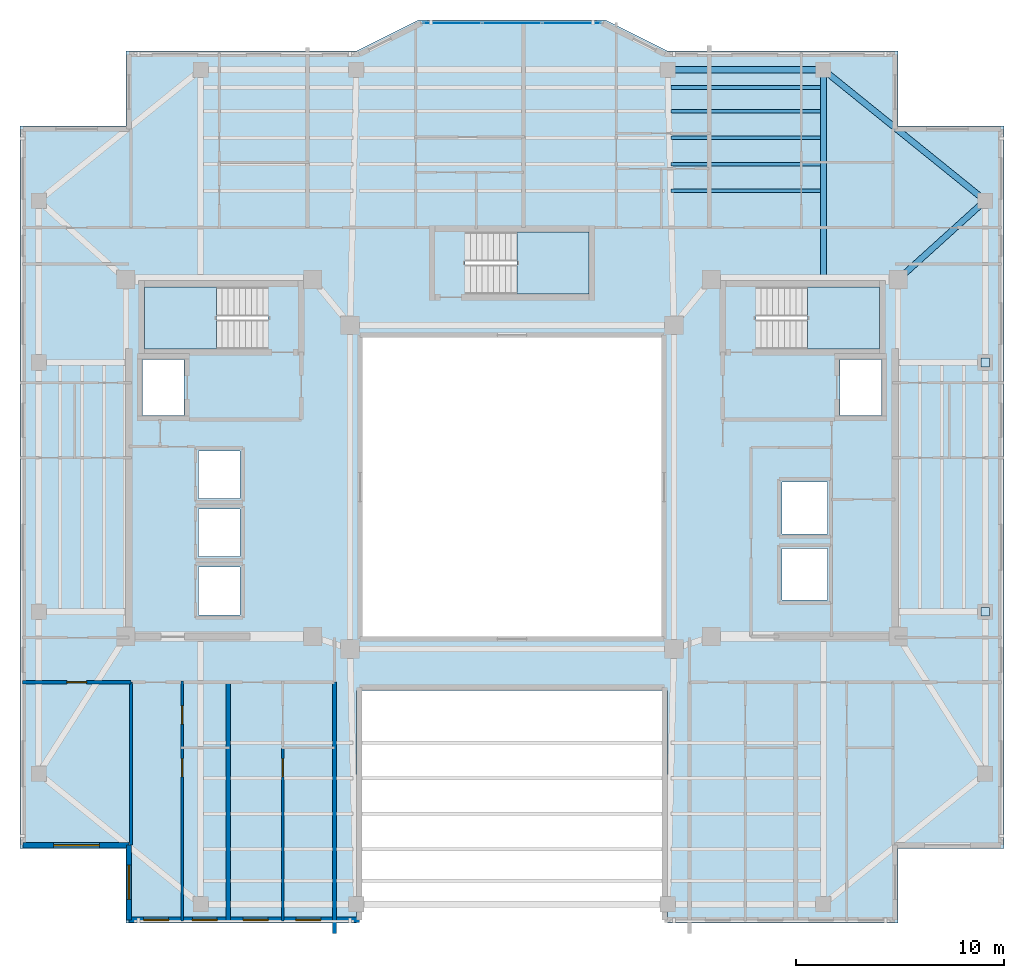
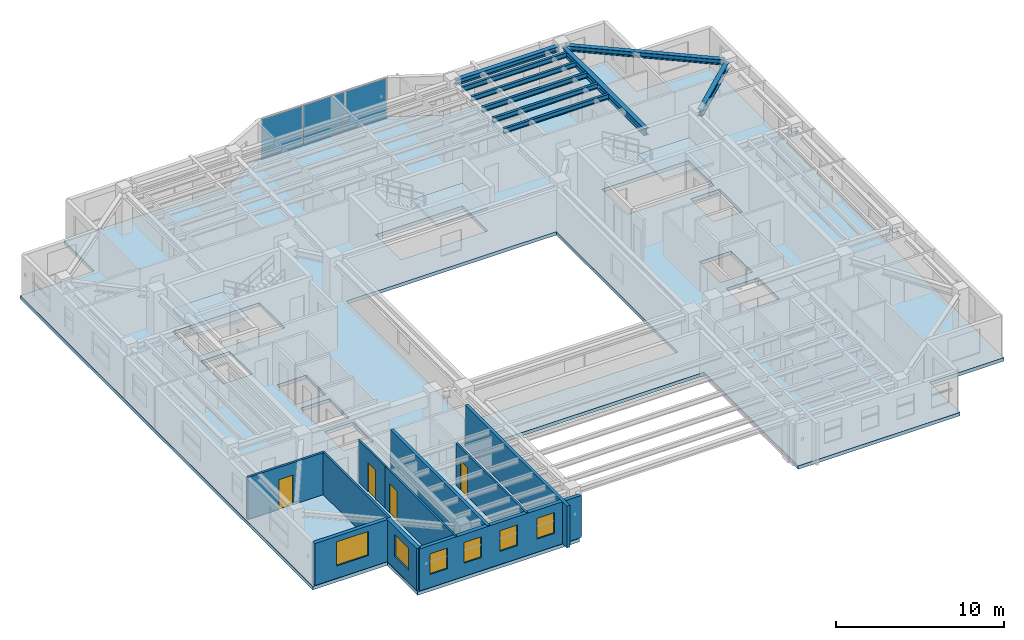
# One storey, part 4 of 13: 10 walls, 9 beams, 6 windows, 5 plates, 4 doors, 4 slabs, 10 openings, 4 elements without a shape of their own.
"""IFC4 building model written with IfcOpenShell, lengths in metres."""

from ifc_helpers import new_model, si_unit, direction, frame, frame_2d, origin, origin_2d, place, context, subcontext, project, spatial, polyline, rectangle, i_section, outline, extrude, material, layer, layer_set, material_profile, profile_set, type_object, element, fill, aggregate, save


model = new_model("IFC4")

# Units and contexts
model_context = context("Model", 3, precision=1e-05, world=origin(), true_north=direction((0.0, 1.0)))
body_context = subcontext(model_context, "Body", "Model", "MODEL_VIEW")
ifc_project = project(units=[si_unit("LENGTHUNIT", "METRE"), si_unit("AREAUNIT", "SQUARE_METRE"), si_unit("VOLUMEUNIT", "CUBIC_METRE"), si_unit("PLANEANGLEUNIT", "RADIAN"), si_unit("MASSUNIT", "GRAM", prefix="KILO")], contexts=[model_context])

# Site, building, storey
site_placement = place(None, origin())
site = spatial("IfcSite", under=ifc_project, at=site_placement, CompositionType="ELEMENT")
building_placement = place(site_placement, origin())
building = spatial("IfcBuilding", under=site, at=building_placement, Name="Tarnavaz Court Tower", CompositionType="ELEMENT")
storey_placement = place(building_placement, frame((0.0, 0.0, 223.75)))
storey = spatial("IfcBuildingStorey", under=building, at=storey_placement, Name="L61", CompositionType="ELEMENT", Elevation=223.75)

# Beams
ifc_material_1 = material(Name="Steel S355", Category="steel")
ifc_material_profile_1 = material_profile(ifc_material_1, i_section(OverallWidth=0.300048828125, OverallDepth=0.5, WebThickness=0.014404296875, FlangeThickness=0.028076171875, FilletRadius=0.027099609375, at=origin_2d()), Name="HEB 500")
ifc_profile_set_1 = profile_set([ifc_material_profile_1], Name="Steel S355")
beam_type_1 = type_object("IfcBeamType", Name="BM-G-HEB500", PredefinedType="USERDEFINED", material=ifc_profile_set_1)
beam_1_placement = place(storey_placement, frame((15.0, 10.0400390625, 2.800048828125), z_axis=(0.0, 1.0, 0.0), x_axis=(-1.0, 0.0, 0.0)))
element("IfcBeam", 1, at=beam_1_placement, inside=storey, type_object=beam_type_1, Name="L61 Beam RG-04", ObjectType="GIRDER", PredefinedType="USERDEFINED", context=body_context, shape_type="SweptSolid", body=[
    extrude(i_section(OverallWidth=0.300048828125, OverallDepth=0.5, WebThickness=0.014404296875, FlangeThickness=0.028076171875, FilletRadius=0.027099609375, at=origin_2d()), origin(), (0.0, 0.0, 1.0), 9.83984375),
])
beam_2_placement = place(storey_placement, frame((18.76318359375, 10.147705078125, 2.800048828125), z_axis=(0.741555708494, 0.670891296113, 0.0), x_axis=(-0.670891296113, 0.741555708494, 0.0)))
element("IfcBeam", 2, at=beam_2_placement, inside=storey, type_object=beam_type_1, Name="L61 Beam RG-12", ObjectType="GIRDER", PredefinedType="USERDEFINED", context=body_context, shape_type="SweptSolid", body=[
    extrude(i_section(OverallWidth=0.300048828125, OverallDepth=0.5, WebThickness=0.014404296875, FlangeThickness=0.028076171875, FilletRadius=0.027099609375, at=origin_2d()), origin(), (0.0, 0.0, 1.0), 5.223876953125),
])
ifc_material_profile_2 = material_profile(ifc_material_1, i_section(OverallWidth=0.169921875, OverallDepth=0.360107421875, WebThickness=0.008056640625, FlangeThickness=0.0126953125, FilletRadius=0.01806640625, at=origin_2d()), Name="IPE 360")
ifc_profile_set_2 = profile_set([ifc_material_profile_2], Name="Steel S355")
beam_type_2 = type_object("IfcBeamType", Name="BM-J-IPE360", PredefinedType="JOIST", material=ifc_profile_set_2)
for number, where, z_axis, x_axis, name in (
    (3, (7.64990234375, 14.278076171875, 2.8701171875), (1.0, 0.0, 0.0), (0.0, 1.0, 0.0), "L61 Beam JN1-3"),
    (4, (7.64990234375, 15.555908203125, 2.8701171875), (1.0, 0.0, 0.0), (0.0, 1.0, 0.0), "L61 Beam JN2-3"),
    (5, (7.64990234375, 16.833984375, 2.8701171875), (1.0, 0.0, 0.0), (0.0, 1.0, 0.0), "L61 Beam JN3-3"),
    (6, (7.64990234375, 18.112060546875, 2.8701171875), (1.0, 0.0, 0.0), (0.0, 1.0, 0.0), "L61 Beam JN4-3"),
    (7, (7.64990234375, 19.248046875, 2.8701171875), (1.0, 0.0, 0.0), (0.0, 1.0, 0.0), "L61 Beam JN5-3"),
):
    element("IfcBeam", number, at=place(storey_placement, frame(where, z_axis=z_axis, x_axis=x_axis)), inside=storey, type_object=beam_type_2, Name=name, PredefinedType="JOIST", context=body_context, shape_type="SweptSolid", body=[
        extrude(i_section(OverallWidth=0.169921875, OverallDepth=0.360107421875, WebThickness=0.008056640625, FlangeThickness=0.0126953125, FilletRadius=0.01806640625, at=origin_2d()), origin(), (0.0, 0.0, 1.0), 7.2001953125),
    ])
ifc_material_profile_3 = material_profile(ifc_material_1, i_section(OverallWidth=0.300048828125, OverallDepth=0.389892578125, WebThickness=0.010986328125, FlangeThickness=0.01904296875, FilletRadius=0.027099609375, at=origin_2d()), Name="HEA 400")
ifc_profile_set_3 = profile_set([ifc_material_profile_3], Name="Steel S355")
beam_type_3 = type_object("IfcBeamType", Name="BM-SP-HEA400", PredefinedType="BEAM", material=ifc_profile_set_3)
beam_3_placement = place(storey_placement, frame((7.719970703125, 20.10009765625, 2.85498046875), z_axis=(1.0, 0.0, 0.0), x_axis=(0.0, 1.0, 0.0)))
element("IfcBeam", 8, at=beam_3_placement, inside=storey, type_object=beam_type_3, Name="L61 Beam PR-PN-3-PN-4", PredefinedType="BEAM", context=body_context, shape_type="SweptSolid", body=[
    extrude(i_section(OverallWidth=0.300048828125, OverallDepth=0.389892578125, WebThickness=0.010986328125, FlangeThickness=0.01904296875, FilletRadius=0.027099609375, at=origin_2d()), origin(), (0.0, 0.0, 1.0), 7.06005859375),
])
beam_4_placement = place(storey_placement, frame((15.171142578125, 19.9619140625, 2.85498046875), z_axis=(0.777935913531, -0.628343627674, 0.0), x_axis=(0.628343627674, 0.777935913531, 0.0)))
element("IfcBeam", 9, at=beam_4_placement, inside=storey, type_object=beam_type_3, Name="L61 Beam PR-PN-4-PE-4", PredefinedType="BEAM", context=body_context, shape_type="SweptSolid", body=[
    extrude(i_section(OverallWidth=0.300048828125, OverallDepth=0.389892578125, WebThickness=0.010986328125, FlangeThickness=0.01904296875, FilletRadius=0.027099609375, at=origin_2d()), origin(), (0.0, 0.0, 1.0), 9.586669921875),
])

# Curtain wall, plates
ifc_material_2 = material(Name="Anodised Aluminium 6063-T6 and Solar Low-E Glazing", Category="aluminium")
ifc_layer_1 = layer(ifc_material_2, 0.159912109375)
ifc_layer_set_1 = layer_set([ifc_layer_1], Name="Anodised Aluminium 6063-T6 and Solar Low-E Glazing")
curtain_wall_type = type_object("IfcCurtainWallType", Name="CW-SYS-03", PredefinedType="NOTDEFINED", material=ifc_layer_set_1)
curtain_wall_placement = place(storey_placement, origin())
curtain_wall = element("IfcCurtainWall", 10, at=curtain_wall_placement, inside=storey, type_object=curtain_wall_type, Name="L61 Iwan Prow Curtain Wall 7", PredefinedType="NOTDEFINED")
ifc_material_3 = material(Name="Double-Glazed Solar Low-E Glass", Category="glass")
ifc_layer_2 = layer(ifc_material_3, 0.028076171875)
ifc_layer_set_2 = layer_set([ifc_layer_2], Name="Double-Glazed Solar Low-E Glass")
plate_type_1 = type_object("IfcPlateType", Name="CW-PAN-GLZ28", PredefinedType="CURTAIN_PANEL", material=ifc_layer_set_2)
plate_1_placement = place(storey_placement, frame((-2.88134765625, 22.35009765625, 0.06494140625), z_axis=(0.0, 0.0, 1.0), x_axis=(1.0, 0.0, 0.0)))
plate_1 = element("IfcPlate", 11, at=plate_1_placement, type_object=plate_type_1, Name="CW panel 1.1", PredefinedType="CURTAIN_PANEL", context=body_context, shape_type="SweptSolid", body=[
    extrude(rectangle(XDim=2.78759765625, YDim=0.028076171875, at=origin_2d()), origin(), (0.0, 0.0, 1.0), 2.919921875),
])
plate_2_placement = place(storey_placement, frame((0.0, 22.35009765625, 0.06494140625), z_axis=(0.0, 0.0, 1.0), x_axis=(1.0, 0.0, 0.0)))
plate_2 = element("IfcPlate", 12, at=plate_2_placement, type_object=plate_type_1, Name="CW panel 2.1", PredefinedType="CURTAIN_PANEL", context=body_context, shape_type="SweptSolid", body=[
    extrude(rectangle(XDim=2.824951171875, YDim=0.028076171875, at=origin_2d()), origin(), (0.0, 0.0, 1.0), 2.919921875),
])
plate_3_placement = place(storey_placement, frame((2.88134765625, 22.35009765625, 0.06494140625), z_axis=(0.0, 0.0, 1.0), x_axis=(1.0, 0.0, 0.0)))
plate_3 = element("IfcPlate", 13, at=plate_3_placement, type_object=plate_type_1, Name="CW panel 3.1", PredefinedType="CURTAIN_PANEL", context=body_context, shape_type="SweptSolid", body=[
    extrude(rectangle(XDim=2.78759765625, YDim=0.028076171875, at=origin_2d()), origin(), (0.0, 0.0, 1.0), 2.919921875),
])
aggregate(curtain_wall, [plate_1, plate_2, plate_3])

# Plates
ifc_layer_3 = layer(ifc_material_1, 0.02490234375)
ifc_layer_set_3 = layer_set([ifc_layer_3], Name="Steel S355")
plate_type_2 = type_object("IfcPlateType", Name="PL-CAP-25", PredefinedType="USERDEFINED", material=ifc_layer_set_3)
for number, where, z_axis, x_axis, name in (
    (14, (22.800048828125, -6.0, 2.629638671875), (0.0, 0.0, 1.0), (1.0, 0.0, 0.0), "L61 Sky-Pool Truss Tip Cap Plate 1"),
    (15, (22.800048828125, 6.0, 2.629638671875), (0.0, 0.0, 1.0), (1.0, 0.0, 0.0), "L61 Sky-Pool Truss Tip Cap Plate 2"),
):
    element("IfcPlate", number, at=place(storey_placement, frame(where, z_axis=z_axis, x_axis=x_axis)), inside=storey, type_object=plate_type_2, Name=name, ObjectType="CAP PLATE", PredefinedType="USERDEFINED", context=body_context, shape_type="SweptSolid", body=[
        extrude(rectangle(XDim=0.419921875, YDim=0.419921875, at=origin_2d()), origin(), (0.0, 0.0, 1.0), 0.02490234375),
    ])

# Stair, slab
ifc_material_4 = material(Name="Concrete C40/50", Category="concrete")
stair_type = type_object("IfcStairType", Name="ST-TWR-20R", PredefinedType="HALF_TURN_STAIR", material=ifc_material_4)
stair_1_placement = place(storey_placement, origin())
stair_1 = element("IfcStair", 16, at=stair_1_placement, inside=storey, type_object=stair_type, Name="L61 West Core Pressurized Exit Stair ST-W1", PredefinedType="HALF_TURN_STAIR")
ifc_layer_4 = layer(ifc_material_4, 0.199951171875)
ifc_layer_set_4 = layer_set([ifc_layer_4], Name="Concrete C40/50")
slab_type_1 = type_object("IfcSlabType", Name="SL-LAND-200", PredefinedType="LANDING", material=ifc_layer_set_4)
slab_1_placement = place(storey_placement, frame((0.0, 0.0, 1.47509765625)))
slab_1 = element("IfcSlab", 17, at=slab_1_placement, type_object=slab_type_1, Name="ST-W1 landing 1", PredefinedType="LANDING", context=body_context, shape_type="SweptSolid", body=[
    extrude(outline(polyline([(-14.239990234375, 9.639892578125), (-17.699951171875, 9.639892578125), (-17.699951171875, 6.64990234375), (-14.239990234375, 6.64990234375), (-14.239990234375, 9.639892578125)])), origin(), (0.0, 0.0, 1.0), 0.199951171875),
])
aggregate(stair_1, [slab_1])

stair_2_placement = place(storey_placement, origin())
stair_2 = element("IfcStair", 18, at=stair_2_placement, inside=storey, type_object=stair_type, Name="L61 East Core Pressurized Exit Stair ST-E1", PredefinedType="HALF_TURN_STAIR")
slab_2_placement = place(storey_placement, frame((0.0, 0.0, 1.47509765625)))
slab_2 = element("IfcSlab", 19, at=slab_2_placement, type_object=slab_type_1, Name="ST-E1 landing 1", PredefinedType="LANDING", context=body_context, shape_type="SweptSolid", body=[
    extrude(outline(polyline([(14.239990234375, 6.64990234375), (17.699951171875, 6.64990234375), (17.699951171875, 9.639892578125), (14.239990234375, 9.639892578125), (14.239990234375, 6.64990234375)])), origin(), (0.0, 0.0, 1.0), 0.199951171875),
])
aggregate(stair_2, [slab_2])

stair_3_placement = place(storey_placement, origin())
stair_3 = element("IfcStair", 20, at=stair_3_placement, inside=storey, type_object=stair_type, Name="L61 North Ring Pressurized Exit Stair ST-N1", PredefinedType="HALF_TURN_STAIR")
slab_3_placement = place(storey_placement, frame((0.0, 0.0, 1.47509765625)))
slab_3 = element("IfcSlab", 21, at=slab_3_placement, type_object=slab_type_1, Name="ST-N1 landing 1", PredefinedType="LANDING", context=body_context, shape_type="SweptSolid", body=[
    extrude(outline(polyline([(0.239990234375, 9.300048828125), (3.699951171875, 9.300048828125), (3.699951171875, 12.2900390625), (0.239990234375, 12.2900390625), (0.239990234375, 9.300048828125)])), origin(), (0.0, 0.0, 1.0), 0.199951171875),
])
aggregate(stair_3, [slab_3])

# Slab
ifc_layer_5 = layer(ifc_material_4, 0.25)
ifc_layer_set_5 = layer_set([ifc_layer_5], Name="Concrete C40/50")
slab_type_2 = type_object("IfcSlabType", Name="SL-RES-250", PredefinedType="FLOOR", material=ifc_layer_set_5)
slab_4_placement = place(storey_placement, frame((0.0, 0.0, -0.25)))
element("IfcSlab", 22, at=slab_4_placement, inside=storey, type_object=slab_type_2, Name="L61 Structural Floor Slab", PredefinedType="FLOOR", context=body_context, shape_type="SweptSolid", body=[
    extrude(outline(polyline([(-18.60009765625, -21.0), (-7.5, -21.0), (-7.5, -9.800048828125), (7.5, -9.800048828125), (7.5, -21.0), (18.60009765625, -21.0), (18.60009765625, -17.39990234375), (23.699951171875, -17.39990234375), (23.699951171875, 17.39990234375), (18.60009765625, 17.39990234375), (18.60009765625, 21.0), (7.5, 21.0), (4.5, 22.5), (-4.5, 22.5), (-7.5, 21.0), (-18.60009765625, 21.0), (-18.60009765625, 17.39990234375), (-23.699951171875, 17.39990234375), (-23.699951171875, -17.39990234375), (-18.60009765625, -17.39990234375), (-18.60009765625, -21.0)]), holes=[polyline([(-7.199951171875, -7.199951171875), (7.199951171875, -7.199951171875), (7.199951171875, 7.199951171875), (-7.199951171875, 7.199951171875), (-7.199951171875, -7.199951171875)]), polyline([(-11.7451171875, 9.639892578125), (-17.699951171875, 9.639892578125), (-17.699951171875, 6.64990234375), (-11.7451171875, 6.64990234375), (-11.7451171875, 9.639892578125)]), polyline([(11.7451171875, 6.64990234375), (17.699951171875, 6.64990234375), (17.699951171875, 9.639892578125), (11.7451171875, 9.639892578125), (11.7451171875, 6.64990234375)]), polyline([(-2.2548828125, 9.300048828125), (3.699951171875, 9.300048828125), (3.699951171875, 12.2900390625), (-2.2548828125, 12.2900390625), (-2.2548828125, 9.300048828125)]), polyline([(-17.800048828125, 3.449951171875), (-15.800048828125, 3.449951171875), (-15.800048828125, 6.14990234375), (-17.800048828125, 6.14990234375), (-17.800048828125, 3.449951171875)]), polyline([(-15.10009765625, -6.14990234375), (-13.10009765625, -6.14990234375), (-13.10009765625, -3.85009765625), (-15.10009765625, -3.85009765625), (-15.10009765625, -6.14990234375)]), polyline([(-15.10009765625, -3.35009765625), (-13.10009765625, -3.35009765625), (-13.10009765625, -1.050048828125), (-15.10009765625, -1.050048828125), (-15.10009765625, -3.35009765625)]), polyline([(-15.10009765625, -0.550048828125), (-13.10009765625, -0.550048828125), (-13.10009765625, 1.75), (-15.10009765625, 1.75), (-15.10009765625, -0.550048828125)]), polyline([(15.800048828125, 3.449951171875), (17.800048828125, 3.449951171875), (17.800048828125, 6.14990234375), (15.800048828125, 6.14990234375), (15.800048828125, 3.449951171875)]), polyline([(13.0, -5.449951171875), (15.199951171875, -5.449951171875), (15.199951171875, -2.949951171875), (13.0, -2.949951171875), (13.0, -5.449951171875)]), polyline([(13.0, -2.25), (15.199951171875, -2.25), (15.199951171875, 0.25), (13.0, 0.25), (13.0, -2.25)])]), origin(), (0.0, 0.0, 1.0), 0.25),
])

# Wall, opening, window
ifc_material_5 = material(Name="Precast Concrete C40/50", Category="concrete")
ifc_layer_6 = layer(ifc_material_5, 0.260009765625)
ifc_layer_set_6 = layer_set([ifc_layer_6], Name="Precast Concrete C40/50")
wall_type_1 = type_object("IfcWallType", Name="WL-EXT-260", PredefinedType="SOLIDWALL", material=ifc_layer_set_6)
wall_1_placement = place(storey_placement, frame((-18.449951171875, -17.25, 0.0), z_axis=(0.0, 0.0, 1.0), x_axis=(-1.0, 0.0, 0.0)))
wall_1 = element("IfcWall", 23, at=wall_1_placement, inside=storey, type_object=wall_type_1, Name="L61 Exterior Terracotta Facade Wall 01", PredefinedType="SOLIDWALL", context=body_context, shape_type="SweptSolid", body=[
    extrude(rectangle(XDim=5.10009765625, YDim=0.260009765625, at=frame_2d((2.550048828125, 0.0))), origin(), (0.0, 0.0, 1.0), 3.050048828125),
])
opening_1_placement = place(wall_1_placement, frame((1.425048828125, 0.0, 0.89990234375)))
opening_1 = element("IfcOpeningElement", 24, at=opening_1_placement, cuts=wall_1, Name="Opening W07", PredefinedType="OPENING", context=body_context, shape_type="SweptSolid", body=[
    extrude(rectangle(XDim=2.199951171875, YDim=1.75, at=frame_2d((1.10009765625, 0.875))), frame((0.0, 0.139892578125, 0.0), z_axis=(0.0, -1.0, 0.0), x_axis=(1.0, 0.0, 0.0)), (0.0, 0.0, 1.0), 0.280029296875),
])
window_type_1 = type_object("IfcWindowType", Name="WN-APT-2200", PartitioningType="TRIPLE_PANEL_VERTICAL", PredefinedType="WINDOW", material=ifc_material_3)
window_1_placement = place(opening_1_placement, origin())
window_1 = element("IfcWindow", 25, at=window_1_placement, inside=storey, type_object=window_type_1, Name="L61 South-West Corner Reading Room Window", OverallHeight=1.75, OverallWidth=2.199951171875, PartitioningType="SINGLE_PANEL", PredefinedType="WINDOW", context=body_context, shape_type="SweptSolid", body=[
    extrude(rectangle(XDim=2.199951171875, YDim=1.75, at=frame_2d((1.10009765625, 0.875))), frame((0.0, 0.030029296875, 0.0), z_axis=(0.0, -1.0, 0.0), x_axis=(1.0, 0.0, 0.0)), (0.0, 0.0, 1.0), 0.06005859375),
])
fill(opening_1, window_1)

# Wall, openings, windows
wall_2_placement = place(storey_placement, frame((-7.35009765625, -20.85009765625, 0.0), z_axis=(0.0, 0.0, 1.0), x_axis=(-1.0, 0.0, 0.0)))
wall_2 = element("IfcWall", 26, at=wall_2_placement, inside=storey, type_object=wall_type_1, Name="L61 Exterior Terracotta Facade Wall 19", PredefinedType="SOLIDWALL", context=body_context, shape_type="SweptSolid", body=[
    extrude(rectangle(XDim=11.099853515625, YDim=0.260009765625, at=frame_2d((5.5498046875, 0.0))), origin(), (0.0, 0.0, 1.0), 3.050048828125),
])
opening_2_placement = place(wall_2_placement, frame((1.861083984375, 0.0, 0.949951171875)))
opening_2 = element("IfcOpeningElement", 27, at=opening_2_placement, cuts=wall_2, Name="Opening W05", PredefinedType="OPENING", context=body_context, shape_type="SweptSolid", body=[
    extrude(rectangle(XDim=1.199951171875, YDim=1.5, at=frame_2d((0.60009765625, 0.75))), frame((0.0, 0.139892578125, 0.0), z_axis=(0.0, -1.0, 0.0), x_axis=(1.0, 0.0, 0.0)), (0.0, 0.0, 1.0), 0.280029296875),
])
opening_3_placement = place(wall_2_placement, frame((4.3974609375, 0.0, 0.949951171875)))
opening_3 = element("IfcOpeningElement", 28, at=opening_3_placement, cuts=wall_2, Name="Opening W05", PredefinedType="OPENING", context=body_context, shape_type="SweptSolid", body=[
    extrude(rectangle(XDim=1.199951171875, YDim=1.5, at=frame_2d((0.60009765625, 0.75))), frame((0.0, 0.139892578125, 0.0), z_axis=(0.0, -1.0, 0.0), x_axis=(1.0, 0.0, 0.0)), (0.0, 0.0, 1.0), 0.280029296875),
])
opening_4_placement = place(wall_2_placement, frame((6.85009765625, 0.0, 0.949951171875)))
opening_4 = element("IfcOpeningElement", 29, at=opening_4_placement, cuts=wall_2, Name="Opening W05", PredefinedType="OPENING", context=body_context, shape_type="SweptSolid", body=[
    extrude(rectangle(XDim=1.199951171875, YDim=1.5, at=frame_2d((0.60009765625, 0.75))), frame((0.0, 0.139892578125, 0.0), z_axis=(0.0, -1.0, 0.0), x_axis=(1.0, 0.0, 0.0)), (0.0, 0.0, 1.0), 0.280029296875),
])
opening_5_placement = place(wall_2_placement, frame((9.194091796875, 0.0, 0.949951171875)))
opening_5 = element("IfcOpeningElement", 30, at=opening_5_placement, cuts=wall_2, Name="Opening W05", PredefinedType="OPENING", context=body_context, shape_type="SweptSolid", body=[
    extrude(rectangle(XDim=1.199951171875, YDim=1.5, at=frame_2d((0.60009765625, 0.75))), frame((0.0, 0.139892578125, 0.0), z_axis=(0.0, -1.0, 0.0), x_axis=(1.0, 0.0, 0.0)), (0.0, 0.0, 1.0), 0.280029296875),
])
window_type_2 = type_object("IfcWindowType", Name="WN-APT-1200", PartitioningType="SINGLE_PANEL", PredefinedType="WINDOW", material=ifc_material_3)
window_2_placement = place(opening_2_placement, origin())
window_2 = element("IfcWindow", 31, at=window_2_placement, inside=storey, type_object=window_type_2, Name="L61 Flat 06 Kitchen Window", OverallHeight=1.5, OverallWidth=1.199951171875, PartitioningType="SINGLE_PANEL", PredefinedType="WINDOW", context=body_context, shape_type="SweptSolid", body=[
    extrude(rectangle(XDim=1.199951171875, YDim=1.5, at=frame_2d((0.60009765625, 0.75))), frame((0.0, 0.030029296875, 0.0), z_axis=(0.0, -1.0, 0.0), x_axis=(1.0, 0.0, 0.0)), (0.0, 0.0, 1.0), 0.06005859375),
])
fill(opening_2, window_2)
window_3_placement = place(opening_3_placement, origin())
window_3 = element("IfcWindow", 32, at=window_3_placement, inside=storey, type_object=window_type_2, Name="L61 Flat 06 Studio Living and Sleeping Room Window", OverallHeight=1.5, OverallWidth=1.199951171875, PartitioningType="SINGLE_PANEL", PredefinedType="WINDOW", context=body_context, shape_type="SweptSolid", body=[
    extrude(rectangle(XDim=1.199951171875, YDim=1.5, at=frame_2d((0.60009765625, 0.75))), frame((0.0, 0.030029296875, 0.0), z_axis=(0.0, -1.0, 0.0), x_axis=(1.0, 0.0, 0.0)), (0.0, 0.0, 1.0), 0.06005859375),
])
fill(opening_3, window_3)
window_4_placement = place(opening_4_placement, origin())
window_4 = element("IfcWindow", 33, at=window_4_placement, inside=storey, type_object=window_type_2, Name="L61 Flat 05 Kitchen Window", OverallHeight=1.5, OverallWidth=1.199951171875, PartitioningType="SINGLE_PANEL", PredefinedType="WINDOW", context=body_context, shape_type="SweptSolid", body=[
    extrude(rectangle(XDim=1.199951171875, YDim=1.5, at=frame_2d((0.60009765625, 0.75))), frame((0.0, 0.030029296875, 0.0), z_axis=(0.0, -1.0, 0.0), x_axis=(1.0, 0.0, 0.0)), (0.0, 0.0, 1.0), 0.06005859375),
])
fill(opening_4, window_4)
window_5_placement = place(opening_5_placement, origin())
window_5 = element("IfcWindow", 34, at=window_5_placement, inside=storey, type_object=window_type_2, Name="L61 Flat 05 Studio Living and Sleeping Room Window", OverallHeight=1.5, OverallWidth=1.199951171875, PartitioningType="SINGLE_PANEL", PredefinedType="WINDOW", context=body_context, shape_type="SweptSolid", body=[
    extrude(rectangle(XDim=1.199951171875, YDim=1.5, at=frame_2d((0.60009765625, 0.75))), frame((0.0, 0.030029296875, 0.0), z_axis=(0.0, -1.0, 0.0), x_axis=(1.0, 0.0, 0.0)), (0.0, 0.0, 1.0), 0.06005859375),
])
fill(opening_5, window_5)

# Wall, opening, window
wall_3_placement = place(storey_placement, frame((-18.449951171875, -20.85009765625, 0.0), z_axis=(0.0, 0.0, 1.0), x_axis=(0.0, 1.0, 0.0)))
wall_3 = element("IfcWall", 35, at=wall_3_placement, inside=storey, type_object=wall_type_1, Name="L61 Exterior Terracotta Facade Wall 20", PredefinedType="SOLIDWALL", context=body_context, shape_type="SweptSolid", body=[
    extrude(rectangle(XDim=3.60009765625, YDim=0.260009765625, at=frame_2d((1.800048828125, 0.0))), origin(), (0.0, 0.0, 1.0), 3.050048828125),
])
opening_6_placement = place(wall_3_placement, frame((0.992431640625, 0.0, 0.89990234375)))
opening_6 = element("IfcOpeningElement", 36, at=opening_6_placement, cuts=wall_3, Name="Opening W02", PredefinedType="OPENING", context=body_context, shape_type="SweptSolid", body=[
    extrude(rectangle(XDim=1.64990234375, YDim=1.60009765625, at=frame_2d((0.824951171875, 0.800048828125))), frame((0.0, 0.139892578125, 0.0), z_axis=(0.0, -1.0, 0.0), x_axis=(1.0, 0.0, 0.0)), (0.0, 0.0, 1.0), 0.280029296875),
])
window_type_3 = type_object("IfcWindowType", Name="WN-APT-1650", PartitioningType="DOUBLE_PANEL_VERTICAL", PredefinedType="WINDOW", material=ifc_material_3)
window_6_placement = place(opening_6_placement, origin())
window_6 = element("IfcWindow", 37, at=window_6_placement, inside=storey, type_object=window_type_3, Name="L61 Flat 05 Studio Living and Sleeping Room Window", OverallHeight=1.60009765625, OverallWidth=1.64990234375, PartitioningType="SINGLE_PANEL", PredefinedType="WINDOW", context=body_context, shape_type="SweptSolid", body=[
    extrude(rectangle(XDim=1.64990234375, YDim=1.60009765625, at=frame_2d((0.824951171875, 0.800048828125))), frame((0.0, 0.030029296875, 0.0), z_axis=(0.0, -1.0, 0.0), x_axis=(1.0, 0.0, 0.0)), (0.0, 0.0, 1.0), 0.06005859375),
])
fill(opening_6, window_6)

# Wall, opening, door
ifc_material_6 = material(Name="Gypsum Fire-Board on Acoustic Metal Stud", Category="masonry")
ifc_layer_7 = layer(ifc_material_6, 0.14990234375)
ifc_layer_set_7 = layer_set([ifc_layer_7], Name="Gypsum Fire-Board on Acoustic Metal Stud")
wall_type_2 = type_object("IfcWallType", Name="WL-FIRE-150", PredefinedType="PARTITIONING", material=ifc_layer_set_7)
wall_4_placement = place(storey_placement, frame((-23.580078125, -9.39990234375, 0.0), z_axis=(0.0, 0.0, 1.0), x_axis=(1.0, 0.0, 0.0)))
wall_4 = element("IfcWall", 38, at=wall_4_placement, inside=storey, type_object=wall_type_2, Name="L61 Interior Partition 109", PredefinedType="PARTITIONING", context=body_context, shape_type="SweptSolid", body=[
    extrude(rectangle(XDim=5.22998046875, YDim=0.14990234375, at=frame_2d((2.614990234375, 0.0))), origin(), (0.0, 0.0, 1.0), 3.050048828125),
])
opening_7_placement = place(wall_4_placement, frame((2.139892578125, 0.0, 0.0)))
opening_7 = element("IfcOpeningElement", 39, at=opening_7_placement, cuts=wall_4, Name="Opening D13", PredefinedType="OPENING", context=body_context, shape_type="SweptSolid", body=[
    extrude(rectangle(XDim=0.949951171875, YDim=2.14990234375, at=frame_2d((0.47509765625, 1.074951171875))), frame((0.0, 0.0849609375, 0.0), z_axis=(0.0, -1.0, 0.0), x_axis=(1.0, 0.0, 0.0)), (0.0, 0.0, 1.0), 0.169921875),
])
ifc_material_7 = material(Name="Engineered Oak Timber", Category="wood")
door_type_1 = type_object("IfcDoorType", Name="DR-INT-950", OperationType="NOTDEFINED", PredefinedType="DOOR", material=ifc_material_7)
door_1_placement = place(opening_7_placement, origin())
door_1 = element("IfcDoor", 40, at=door_1_placement, inside=storey, type_object=door_type_1, Name="L61 SW Reading Room Door", OperationType="SINGLE_SWING_RIGHT", OverallHeight=2.14990234375, OverallWidth=0.949951171875, PredefinedType="DOOR", context=body_context, shape_type="SweptSolid", body=[
    extrude(rectangle(XDim=0.949951171875, YDim=2.14990234375, at=frame_2d((0.47509765625, 1.074951171875))), frame((0.0, 0.02490234375, 0.0), z_axis=(0.0, -1.0, 0.0), x_axis=(1.0, 0.0, 0.0)), (0.0, 0.0, 1.0), 0.050048828125),
])
fill(opening_7, door_1)

# Walls
ifc_material_8 = material(Name="Autoclaved Aerated Concrete Blockwork", Category="masonry")
ifc_layer_8 = layer(ifc_material_8, 0.199951171875)
ifc_layer_set_8 = layer_set([ifc_layer_8], Name="Autoclaved Aerated Concrete Blockwork")
wall_type_3 = type_object("IfcWallType", Name="WL-FIRE-200", PredefinedType="SOLIDWALL", material=ifc_layer_set_8)
wall_5_placement = place(storey_placement, frame((-13.669921875, -20.89990234375, 0.0), z_axis=(0.0, 0.0, 1.0), x_axis=(0.0, 1.0, 0.0)))
element("IfcWall", 41, at=wall_5_placement, inside=storey, type_object=wall_type_3, Name="L61 Party Wall 083", PredefinedType="SOLIDWALL", context=body_context, shape_type="SweptSolid", body=[
    extrude(rectangle(XDim=11.5, YDim=0.199951171875, at=frame_2d((5.75, 0.0))), origin(), (0.0, 0.0, 1.0), 3.050048828125),
])
wall_6_placement = place(storey_placement, frame((-8.550048828125, -21.50390625, 0.0), z_axis=(0.0, 0.0, 1.0), x_axis=(0.0, 1.0, 0.0)))
element("IfcWall", 42, at=wall_6_placement, inside=storey, type_object=wall_type_3, Name="L61 Party Wall 097", PredefinedType="SOLIDWALL", context=body_context, shape_type="SweptSolid", body=[
    extrude(rectangle(XDim=12.10400390625, YDim=0.199951171875, at=frame_2d((6.052001953125, 0.0))), origin(), (0.0, 0.0, 1.0), 3.050048828125),
])

# Wall, opening, door
ifc_material_9 = material(Name="Moisture-Resistant Gypsum Board Partition", Category="masonry")
ifc_layer_9 = layer(ifc_material_9, 0.1201171875)
ifc_layer_set_9 = layer_set([ifc_layer_9], Name="Moisture-Resistant Gypsum Board Partition")
wall_type_4 = type_object("IfcWallType", Name="WL-PART-120", PredefinedType="PARTITIONING", material=ifc_layer_set_9)
wall_7_placement = place(storey_placement, frame((-15.889892578125, -20.89990234375, 0.0), z_axis=(0.0, 0.0, 1.0), x_axis=(0.0, 1.0, 0.0)))
wall_7 = element("IfcWall", 43, at=wall_7_placement, inside=storey, type_object=wall_type_4, Name="L61 Interior Partition 084", PredefinedType="PARTITIONING", context=body_context, shape_type="SweptSolid", body=[
    extrude(rectangle(XDim=8.33984375, YDim=0.1201171875, at=frame_2d((4.169921875, 0.0))), origin(), (0.0, 0.0, 1.0), 3.050048828125),
])
opening_8_placement = place(wall_7_placement, frame((6.93994140625, 0.0, 0.0)))
opening_8 = element("IfcOpeningElement", 44, at=opening_8_placement, cuts=wall_7, Name="Opening D14", PredefinedType="OPENING", context=body_context, shape_type="SweptSolid", body=[
    extrude(rectangle(XDim=0.8798828125, YDim=2.10009765625, at=frame_2d((0.43994140625, 1.050048828125))), frame((0.0, 0.070068359375, 0.0), z_axis=(0.0, -1.0, 0.0), x_axis=(1.0, 0.0, 0.0)), (0.0, 0.0, 1.0), 0.14013671875),
])
door_type_2 = type_object("IfcDoorType", Name="DR-INT-900", OperationType="NOTDEFINED", PredefinedType="DOOR", material=ifc_material_7)
door_2_placement = place(opening_8_placement, origin())
door_2 = element("IfcDoor", 45, at=door_2_placement, inside=storey, type_object=door_type_2, Name="L61 Flat 05 Kitchen Door", OperationType="SINGLE_SWING_LEFT", OverallHeight=2.10009765625, OverallWidth=0.8798828125, PredefinedType="DOOR", context=body_context, shape_type="SweptSolid", body=[
    extrude(rectangle(XDim=0.8798828125, YDim=2.10009765625, at=frame_2d((0.43994140625, 1.050048828125))), frame((0.0, 0.02490234375, 0.0), z_axis=(0.0, -1.0, 0.0), x_axis=(1.0, 0.0, 0.0)), (0.0, 0.0, 1.0), 0.050048828125),
])
fill(opening_8, door_2)

wall_8_placement = place(storey_placement, frame((-15.889892578125, -12.56005859375, 0.0), z_axis=(0.0, 0.0, 1.0), x_axis=(0.0, 1.0, 0.0)))
wall_8 = element("IfcWall", 46, at=wall_8_placement, inside=storey, type_object=wall_type_4, Name="L61 Interior Partition 085", PredefinedType="PARTITIONING", context=body_context, shape_type="SweptSolid", body=[
    extrude(rectangle(XDim=3.219970703125, YDim=0.1201171875, at=frame_2d((1.60986328125, 0.0))), origin(), (0.0, 0.0, 1.0), 3.050048828125),
])
opening_9_placement = place(wall_8_placement, frame((1.139892578125, 0.0, 0.0)))
opening_9 = element("IfcOpeningElement", 47, at=opening_9_placement, cuts=wall_8, Name="Opening D14", PredefinedType="OPENING", context=body_context, shape_type="SweptSolid", body=[
    extrude(rectangle(XDim=0.8798828125, YDim=2.10009765625, at=frame_2d((0.43994140625, 1.050048828125))), frame((0.0, 0.070068359375, 0.0), z_axis=(0.0, -1.0, 0.0), x_axis=(1.0, 0.0, 0.0)), (0.0, 0.0, 1.0), 0.14013671875),
])
door_3_placement = place(opening_9_placement, origin())
door_3 = element("IfcDoor", 48, at=door_3_placement, inside=storey, type_object=door_type_2, Name="L61 Flat 05 Bathroom Door", OperationType="SINGLE_SWING_RIGHT", OverallHeight=2.10009765625, OverallWidth=0.8798828125, PredefinedType="DOOR", context=body_context, shape_type="SweptSolid", body=[
    extrude(rectangle(XDim=0.8798828125, YDim=2.10009765625, at=frame_2d((0.43994140625, 1.050048828125))), frame((0.0, 0.02490234375, 0.0), z_axis=(0.0, -1.0, 0.0), x_axis=(1.0, 0.0, 0.0)), (0.0, 0.0, 1.0), 0.050048828125),
])
fill(opening_9, door_3)

wall_9_placement = place(storey_placement, frame((-11.035888671875, -20.89990234375, 0.0), z_axis=(0.0, 0.0, 1.0), x_axis=(0.0, 1.0, 0.0)))
wall_9 = element("IfcWall", 49, at=wall_9_placement, inside=storey, type_object=wall_type_4, Name="L61 Interior Partition 087", PredefinedType="PARTITIONING", context=body_context, shape_type="SweptSolid", body=[
    extrude(rectangle(XDim=8.33984375, YDim=0.1201171875, at=frame_2d((4.169921875, 0.0))), origin(), (0.0, 0.0, 1.0), 3.050048828125),
])
opening_10_placement = place(wall_9_placement, frame((6.93994140625, 0.0, 0.0)))
opening_10 = element("IfcOpeningElement", 50, at=opening_10_placement, cuts=wall_9, Name="Opening D14", PredefinedType="OPENING", context=body_context, shape_type="SweptSolid", body=[
    extrude(rectangle(XDim=0.8798828125, YDim=2.10009765625, at=frame_2d((0.43994140625, 1.050048828125))), frame((0.0, 0.070068359375, 0.0), z_axis=(0.0, -1.0, 0.0), x_axis=(1.0, 0.0, 0.0)), (0.0, 0.0, 1.0), 0.14013671875),
])
door_4_placement = place(opening_10_placement, origin())
door_4 = element("IfcDoor", 51, at=door_4_placement, inside=storey, type_object=door_type_2, Name="L61 Flat 06 Kitchen Door", OperationType="SINGLE_SWING_RIGHT", OverallHeight=2.10009765625, OverallWidth=0.8798828125, PredefinedType="DOOR", context=body_context, shape_type="SweptSolid", body=[
    extrude(rectangle(XDim=0.8798828125, YDim=2.10009765625, at=frame_2d((0.43994140625, 1.050048828125))), frame((0.0, 0.02490234375, 0.0), z_axis=(0.0, -1.0, 0.0), x_axis=(1.0, 0.0, 0.0)), (0.0, 0.0, 1.0), 0.050048828125),
])
fill(opening_10, door_4)

# Wall
ifc_material_10 = material(Name="Gypsum Plasterboard Acoustic Partition", Category="masonry")
ifc_layer_10 = layer(ifc_material_10, 0.139892578125)
ifc_layer_set_10 = layer_set([ifc_layer_10], Name="Gypsum Plasterboard Acoustic Partition")
wall_type_5 = type_object("IfcWallType", Name="WL-PART-150", PredefinedType="PARTITIONING", material=ifc_layer_set_10)
wall_10_placement = place(storey_placement, frame((-18.35009765625, -17.25, 0.0), z_axis=(0.0, 0.0, 1.0), x_axis=(0.0, 1.0, 0.0)))
element("IfcWall", 52, at=wall_10_placement, inside=storey, type_object=wall_type_5, Name="L61 Interior Partition 103", PredefinedType="PARTITIONING", context=body_context, shape_type="SweptSolid", body=[
    extrude(rectangle(XDim=7.85009765625, YDim=0.139892578125, at=frame_2d((3.925048828125, 0.0))), origin(), (0.0, 0.0, 1.0), 3.050048828125),
])

save(model, "model.ifc")
